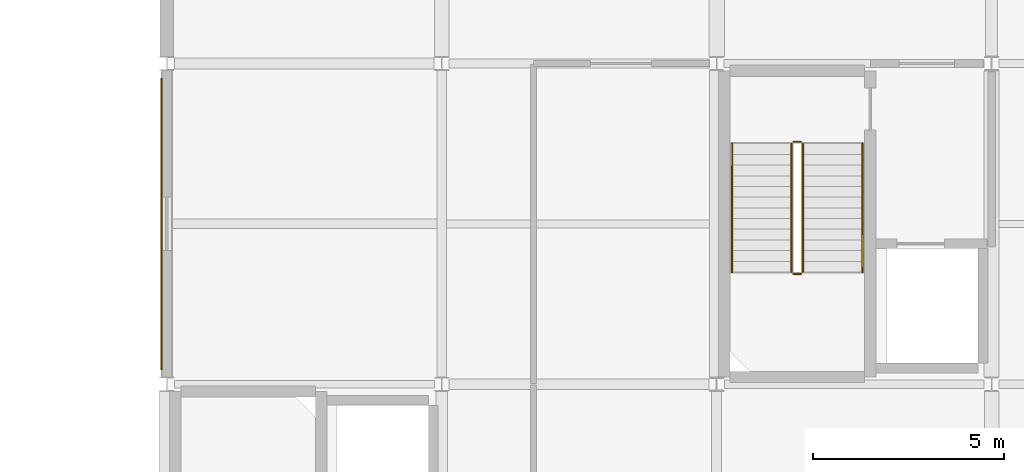
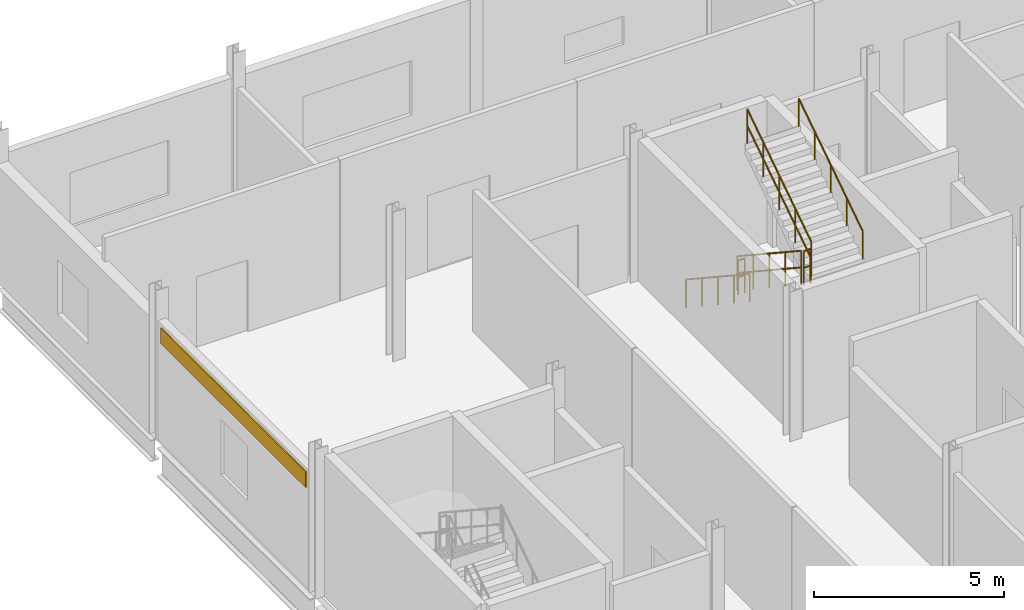
# One storey, part 66 of 72: 6 railings, 1 covering.
"""IFC4 building model written with IfcOpenShell, lengths in metres."""

from ifc_helpers import new_model, si_unit, direction, frame, origin, origin_2d, place, context, subcontext, project, spatial, rectangle, circle, extrude, material, layer, layer_set, type_object, element, save


model = new_model("IFC4")

# Units and contexts
model_context = context("Model", 3, precision=1e-05, world=origin(), true_north=direction((0.0, 1.0)))
body_context = subcontext(model_context, "Body", "Model", "MODEL_VIEW")
ifc_project = project(units=[si_unit("LENGTHUNIT", "METRE"), si_unit("AREAUNIT", "SQUARE_METRE"), si_unit("VOLUMEUNIT", "CUBIC_METRE"), si_unit("PLANEANGLEUNIT", "RADIAN"), si_unit("MASSUNIT", "GRAM", prefix="KILO")], contexts=[model_context])

# Site, building, storey
site_placement = place(None, origin())
site = spatial("IfcSite", under=ifc_project, at=site_placement, CompositionType="ELEMENT")
building_placement = place(site_placement, origin())
building = spatial("IfcBuilding", under=site, at=building_placement, Name="Calvrana Isthmian Art Gallery", CompositionType="ELEMENT")
storey_placement = place(building_placement, frame((0.0, 0.0, 15.0)))
storey = spatial("IfcBuildingStorey", under=building, at=storey_placement, Name="L03", CompositionType="ELEMENT", Elevation=15.0)

# Covering
ifc_material_1 = material(Name="Polychrome glazed terracotta", Category="masonry")
ifc_layer = layer(ifc_material_1, 0.0400390625, Name="Polychrome glazed terracotta")
ifc_layer_set = layer_set([ifc_layer], Name="Polychrome glazed terracotta")
covering_type = type_object("IfcCoveringType", Name="COV-CLAD-TERRA", PredefinedType="CLADDING", material=ifc_layer_set)
covering_placement = place(storey_placement, frame((112.656982421875, 34.19873046875, 3.22705078125), z_axis=(0.0, 0.0, 1.0), x_axis=(0.0, 1.0, 0.0)))
element("IfcCovering", 1, at=covering_placement, inside=storey, type_object=covering_type, Name="Terracotta spandrel cladding 170", PredefinedType="CLADDING", context=body_context, shape_type="SweptSolid", body=[
    extrude(rectangle(XDim=7.62939453125, YDim=0.0400390625, at=origin_2d()), origin(), (0.0, 0.0, 1.0), 0.5),
])

# Railings
ifc_material_2 = material(Name="Stainless steel 316", Category="steel")
railing_type_1 = type_object("IfcRailingType", Name="RL-GUARD-1120", PredefinedType="BALUSTRADE", material=ifc_material_2)
railing_1_placement = place(storey_placement, frame((129.159912109375, 36.300048828125, 0.1845703125)))
element("IfcRailing", 2, at=railing_1_placement, inside=storey, type_object=railing_type_1, Name="Stair ST-4 guard L03-1", PredefinedType="BALUSTRADE", context=body_context, shape_type="SweptSolid", body=[
    extrude(circle(Radius=0.02392578125, at=origin_2d()), frame((0.0, 0.0, 1.09619140625), z_axis=(0.0, -0.834876476806, 0.550437342915), x_axis=(1.0, 0.0, 0.0)), (0.0, 0.0, 1.0), 4.024658203125),
    extrude(circle(Radius=0.02392578125, at=origin_2d()), frame((0.0, 0.0, 0.56005859375), z_axis=(0.0, -0.834876476806, 0.550437342915), x_axis=(1.0, 0.0, 0.0)), (0.0, 0.0, 1.0), 4.024658203125),
    extrude(circle(Radius=0.02099609375, at=origin_2d()), origin(), (0.0, 0.0, 1.0), 1.072021484375),
    extrude(circle(Radius=0.02099609375, at=origin_2d()), frame((0.0, -0.840087890625, 0.5537109375)), (0.0, 0.0, 1.0), 1.072021484375),
    extrude(circle(Radius=0.02099609375, at=origin_2d()), frame((0.0, -1.68017578125, 1.107666015625)), (0.0, 0.0, 1.0), 1.072021484375),
    extrude(circle(Radius=0.02099609375, at=origin_2d()), frame((0.0, -2.52001953125, 1.66162109375)), (0.0, 0.0, 1.0), 1.072021484375),
    extrude(circle(Radius=0.02099609375, at=origin_2d()), frame((0.0, -3.360107421875, 2.21533203125)), (0.0, 0.0, 1.0), 1.072021484375),
])
railing_2_placement = place(storey_placement, frame((129.2099609375, 32.889892578125, 2.39990234375)))
element("IfcRailing", 3, at=railing_2_placement, inside=storey, type_object=railing_type_1, Name="Stair ST-4 guard L03-2", PredefinedType="BALUSTRADE", context=body_context, shape_type="SweptSolid", body=[
    extrude(circle(Radius=0.02392578125, at=origin_2d()), frame((0.0, 0.0, 1.09619140625), z_axis=(1.0, 0.0, 0.0), x_axis=(0.0, 1.0, 0.0)), (0.0, 0.0, 1.0), 0.199951171875),
    extrude(circle(Radius=0.02392578125, at=origin_2d()), frame((0.0, 0.0, 0.56005859375), z_axis=(1.0, 0.0, 0.0), x_axis=(0.0, 1.0, 0.0)), (0.0, 0.0, 1.0), 0.199951171875),
    extrude(circle(Radius=0.02099609375, at=origin_2d()), origin(), (0.0, 0.0, 1.0), 1.072021484375),
    extrude(circle(Radius=0.02099609375, at=origin_2d()), frame((0.199951171875, 0.0, 0.0)), (0.0, 0.0, 1.0), 1.072021484375),
])
railing_3_placement = place(storey_placement, frame((129.4599609375, 32.93994140625, 2.584716796875)))
element("IfcRailing", 4, at=railing_3_placement, inside=storey, type_object=railing_type_1, Name="Stair ST-4 guard L03-3", PredefinedType="BALUSTRADE", context=body_context, shape_type="SweptSolid", body=[
    extrude(circle(Radius=0.02392578125, at=origin_2d()), frame((0.0, 0.0, 1.09619140625), z_axis=(0.0, 0.834876476806, 0.550437342915), x_axis=(-1.0, 0.0, 0.0)), (0.0, 0.0, 1.0), 4.024658203125),
    extrude(circle(Radius=0.02392578125, at=origin_2d()), frame((0.0, 0.0, 0.56005859375), z_axis=(0.0, 0.834876476806, 0.550437342915), x_axis=(-1.0, 0.0, 0.0)), (0.0, 0.0, 1.0), 4.024658203125),
    extrude(circle(Radius=0.02099609375, at=origin_2d()), origin(), (0.0, 0.0, 1.0), 1.072021484375),
    extrude(circle(Radius=0.02099609375, at=origin_2d()), frame((0.0, 0.840087890625, 0.5537109375)), (0.0, 0.0, 1.0), 1.072021484375),
    extrude(circle(Radius=0.02099609375, at=origin_2d()), frame((0.0, 1.68017578125, 1.107666015625)), (0.0, 0.0, 1.0), 1.072021484375),
    extrude(circle(Radius=0.02099609375, at=origin_2d()), frame((0.0, 2.52001953125, 1.66162109375)), (0.0, 0.0, 1.0), 1.072021484375),
    extrude(circle(Radius=0.02099609375, at=origin_2d()), frame((0.0, 3.360107421875, 2.21533203125)), (0.0, 0.0, 1.0), 1.072021484375),
])
railing_4_placement = place(storey_placement, frame((129.2099609375, 36.35009765625, 0.0)))
element("IfcRailing", 5, at=railing_4_placement, inside=storey, type_object=railing_type_1, Name="Stair ST-4 guard L03-4", PredefinedType="BALUSTRADE", context=body_context, shape_type="SweptSolid", body=[
    extrude(circle(Radius=0.02392578125, at=origin_2d()), frame((0.0, 0.0, 1.09619140625), z_axis=(1.0, 0.0, 0.0), x_axis=(0.0, 1.0, 0.0)), (0.0, 0.0, 1.0), 0.199951171875),
    extrude(circle(Radius=0.02392578125, at=origin_2d()), frame((0.0, 0.0, 0.56005859375), z_axis=(1.0, 0.0, 0.0), x_axis=(0.0, 1.0, 0.0)), (0.0, 0.0, 1.0), 0.199951171875),
    extrude(circle(Radius=0.02099609375, at=origin_2d()), origin(), (0.0, 0.0, 1.0), 1.072021484375),
    extrude(circle(Radius=0.02099609375, at=origin_2d()), frame((0.199951171875, 0.0, 0.0)), (0.0, 0.0, 1.0), 1.072021484375),
])
railing_type_2 = type_object("IfcRailingType", Name="RL-HAND-920", PredefinedType="HANDRAIL", material=ifc_material_2)
railing_5_placement = place(storey_placement, frame((127.60009765625, 36.300048828125, 0.1845703125)))
element("IfcRailing", 6, at=railing_5_placement, inside=storey, type_object=railing_type_2, Name="Stair ST-4 handrail L03-1", PredefinedType="HANDRAIL", context=body_context, shape_type="SweptSolid", body=[
    extrude(circle(Radius=0.02392578125, at=origin_2d()), frame((0.0, 0.0, 0.89599609375), z_axis=(0.0, -0.834876476806, 0.550437342915), x_axis=(1.0, 0.0, 0.0)), (0.0, 0.0, 1.0), 4.024658203125),
    extrude(circle(Radius=0.02099609375, at=origin_2d()), origin(), (0.0, 0.0, 1.0), 0.871826171875),
    extrude(circle(Radius=0.02099609375, at=origin_2d()), frame((0.0, -0.840087890625, 0.5537109375)), (0.0, 0.0, 1.0), 0.871826171875),
    extrude(circle(Radius=0.02099609375, at=origin_2d()), frame((0.0, -1.68017578125, 1.107666015625)), (0.0, 0.0, 1.0), 0.871826171875),
    extrude(circle(Radius=0.02099609375, at=origin_2d()), frame((0.0, -2.52001953125, 1.66162109375)), (0.0, 0.0, 1.0), 0.871826171875),
    extrude(circle(Radius=0.02099609375, at=origin_2d()), frame((0.0, -3.360107421875, 2.21533203125)), (0.0, 0.0, 1.0), 0.871826171875),
])
railing_6_placement = place(storey_placement, frame((131.02001953125, 32.93994140625, 2.584716796875)))
element("IfcRailing", 7, at=railing_6_placement, inside=storey, type_object=railing_type_2, Name="Stair ST-4 handrail L03-2", PredefinedType="HANDRAIL", context=body_context, shape_type="SweptSolid", body=[
    extrude(circle(Radius=0.02392578125, at=origin_2d()), frame((0.0, 0.0, 0.89599609375), z_axis=(0.0, 0.834876476806, 0.550437342915), x_axis=(-1.0, 0.0, 0.0)), (0.0, 0.0, 1.0), 4.024658203125),
    extrude(circle(Radius=0.02099609375, at=origin_2d()), origin(), (0.0, 0.0, 1.0), 0.871826171875),
    extrude(circle(Radius=0.02099609375, at=origin_2d()), frame((0.0, 0.840087890625, 0.5537109375)), (0.0, 0.0, 1.0), 0.871826171875),
    extrude(circle(Radius=0.02099609375, at=origin_2d()), frame((0.0, 1.68017578125, 1.107666015625)), (0.0, 0.0, 1.0), 0.871826171875),
    extrude(circle(Radius=0.02099609375, at=origin_2d()), frame((0.0, 2.52001953125, 1.66162109375)), (0.0, 0.0, 1.0), 0.871826171875),
    extrude(circle(Radius=0.02099609375, at=origin_2d()), frame((0.0, 3.360107421875, 2.21533203125)), (0.0, 0.0, 1.0), 0.871826171875),
])

save(model, "model.ifc")
